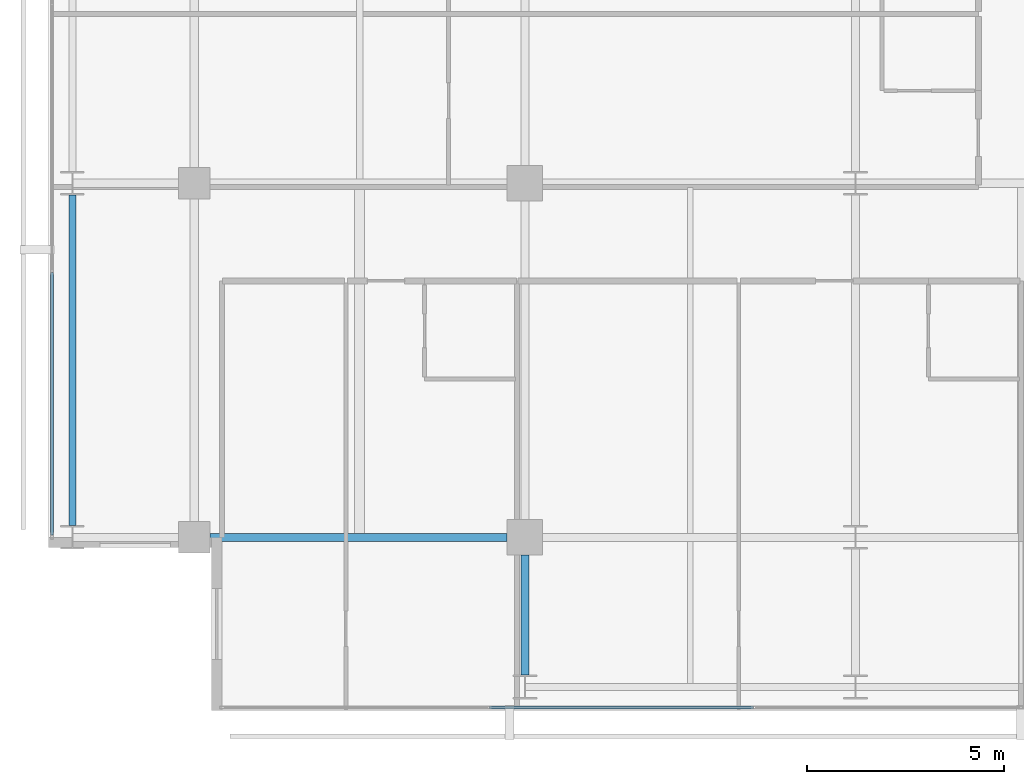
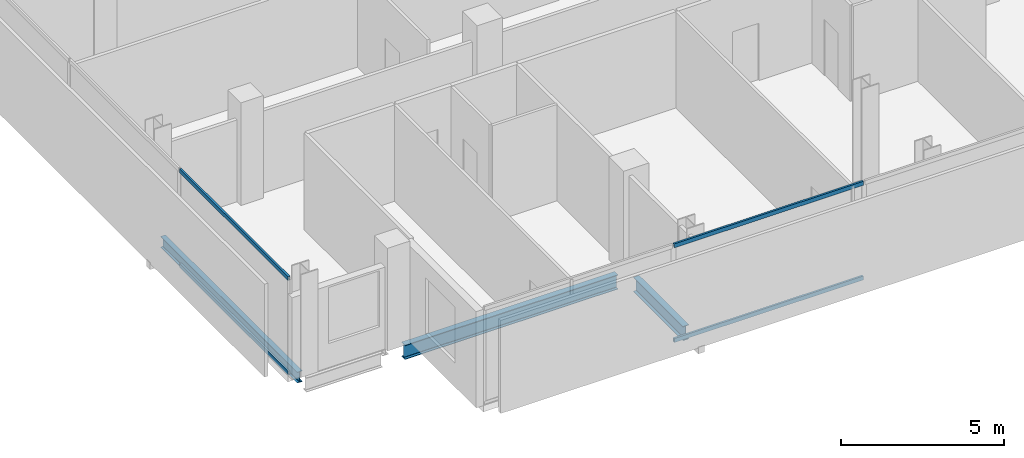
# One storey, part 3 of 34: 4 members, 3 beams, 2 elements without a shape of their own.
"""IFC4 building model written with IfcOpenShell, lengths in metres."""

from ifc_helpers import new_model, si_unit, direction, frame, origin, origin_2d, place, context, subcontext, project, spatial, hollow_rectangle, i_section, extrude, material, layer, layer_set, material_profile, profile_set, type_object, element, aggregate, save


model = new_model("IFC4")

# Units and contexts
model_context = context("Model", 3, precision=1e-05, world=origin(), true_north=direction((0.0, 1.0)))
body_context = subcontext(model_context, "Body", "Model", "MODEL_VIEW")
ifc_project = project(units=[si_unit("LENGTHUNIT", "METRE"), si_unit("AREAUNIT", "SQUARE_METRE"), si_unit("VOLUMEUNIT", "CUBIC_METRE"), si_unit("PLANEANGLEUNIT", "RADIAN"), si_unit("MASSUNIT", "GRAM", prefix="KILO")], contexts=[model_context])

# Site, building, storey
site_placement = place(None, origin())
site = spatial("IfcSite", under=ifc_project, at=site_placement, CompositionType="ELEMENT")
building_placement = place(site_placement, origin())
building = spatial("IfcBuilding", under=site, at=building_placement, Name="Maruvema Waterfront Hotel and Observation Tower", CompositionType="ELEMENT")
storey_placement = place(building_placement, frame((0.0, 0.0, 212.10009765625)))
storey = spatial("IfcBuildingStorey", under=building, at=storey_placement, Name="L52", CompositionType="ELEMENT", Elevation=212.10009765625)

# Curtain wall, members
ifc_material_1 = material(Name="Anodised bronze aluminium and solar-control low-E IGU", Category="aluminium")
ifc_layer = layer(ifc_material_1, 0.159912109375, Name="Zone 2 Amber Inner Thermal Curtain Wall System CW-03")
ifc_layer_set = layer_set([ifc_layer], Name="Anodised bronze aluminium and solar-control low-E IGU")
curtain_wall_type = type_object("IfcCurtainWallType", Name="Zone 2 Amber Inner Thermal Curtain Wall System CW-03", PredefinedType="USERDEFINED", material=ifc_layer_set)
curtain_wall_1_placement = place(storey_placement, origin())
curtain_wall_1 = element("IfcCurtainWall", 1, at=curtain_wall_1_placement, inside=storey, type_object=curtain_wall_type, Name="L52 Curtain Wall CW-L52-S", ObjectType="UNITISED CURTAIN WALL", PredefinedType="USERDEFINED")
ifc_material_2 = material(Name="Anodised architectural bronze aluminium", Category="aluminium")
ifc_material_profile_1 = material_profile(ifc_material_2, hollow_rectangle(XDim=0.070068359375, YDim=0.14990234375, WallThickness=0.00390625, at=origin_2d()), Name="ALU-T70x150")
ifc_profile_set_1 = profile_set([ifc_material_profile_1], Name="Anodised architectural bronze aluminium")
member_type = type_object("IfcMemberType", Name="Curtain Wall Horizontal Transom ALU-T70x150", PredefinedType="USERDEFINED", material=ifc_profile_set_1)
member_1_placement = place(storey_placement, frame((24.296630859375, 4.679931640625, 0.02978515625), z_axis=(1.0, 0.0, 0.0), x_axis=(0.0, 1.0, 0.0)))
member_1 = element("IfcMember", 2, at=member_1_placement, type_object=member_type, Name="CW-03 transom 2.1", ObjectType="TRANSOM", PredefinedType="USERDEFINED", context=body_context, shape_type="SweptSolid", body=[
    extrude(hollow_rectangle(XDim=0.070068359375, YDim=0.14990234375, WallThickness=0.00390625, at=origin_2d()), origin(), (0.0, 0.0, 1.0), 6.706787109375),
])
member_2_placement = place(storey_placement, frame((24.296630859375, 4.679931640625, 3.579833984375), z_axis=(1.0, 0.0, 0.0), x_axis=(0.0, 1.0, 0.0)))
member_2 = element("IfcMember", 3, at=member_2_placement, type_object=member_type, Name="CW-03 transom 2.2", ObjectType="TRANSOM", PredefinedType="USERDEFINED", context=body_context, shape_type="SweptSolid", body=[
    extrude(hollow_rectangle(XDim=0.070068359375, YDim=0.14990234375, WallThickness=0.00390625, at=origin_2d()), origin(), (0.0, 0.0, 1.0), 6.706787109375),
])
aggregate(curtain_wall_1, [member_1, member_2])

curtain_wall_2_placement = place(storey_placement, origin())
curtain_wall_2 = element("IfcCurtainWall", 4, at=curtain_wall_2_placement, inside=storey, type_object=curtain_wall_type, Name="L52 Curtain Wall CW-L52-W", ObjectType="UNITISED CURTAIN WALL", PredefinedType="USERDEFINED")
member_3_placement = place(storey_placement, frame((13.179931640625, 15.736572265625, 0.02978515625), z_axis=(0.0, -1.0, 0.0), x_axis=(1.0, 0.0, 0.0)))
member_3 = element("IfcMember", 5, at=member_3_placement, type_object=member_type, Name="CW-03 transom 6.1", ObjectType="TRANSOM", PredefinedType="USERDEFINED", context=body_context, shape_type="SweptSolid", body=[
    extrude(hollow_rectangle(XDim=0.070068359375, YDim=0.14990234375, WallThickness=0.00390625, at=origin_2d()), origin(), (0.0, 0.0, 1.0), 6.676513671875),
])
member_4_placement = place(storey_placement, frame((13.179931640625, 15.736572265625, 3.579833984375), z_axis=(0.0, -1.0, 0.0), x_axis=(1.0, 0.0, 0.0)))
member_4 = element("IfcMember", 6, at=member_4_placement, type_object=member_type, Name="CW-03 transom 6.2", ObjectType="TRANSOM", PredefinedType="USERDEFINED", context=body_context, shape_type="SweptSolid", body=[
    extrude(hollow_rectangle(XDim=0.070068359375, YDim=0.14990234375, WallThickness=0.00390625, at=origin_2d()), origin(), (0.0, 0.0, 1.0), 6.676513671875),
])
aggregate(curtain_wall_2, [member_3, member_4])

# Beams
ifc_material_3 = material(Name="Steel ASTM A572 Grade 50", Category="steel")
ifc_material_profile_2 = material_profile(ifc_material_3, i_section(OverallWidth=0.178955078125, OverallDepth=0.409912109375, WebThickness=0.0087890625, FlangeThickness=0.014404296875, FilletRadius=0.014892578125, at=origin_2d()), Name="W410x67.0")
ifc_profile_set_2 = profile_set([ifc_material_profile_2], Name="Steel ASTM A572 Grade 50")
beam_type_1 = type_object("IfcBeamType", Name="Perimeter Spandrel Beam W410x67.0", PredefinedType="SPANDREL", material=ifc_profile_set_2)
beam_1_placement = place(storey_placement, frame((13.699951171875, 9.300048828125, -0.445068359375), z_axis=(0.0, 1.0, 0.0), x_axis=(-1.0, 0.0, 0.0)))
element("IfcBeam", 7, at=beam_1_placement, inside=storey, type_object=beam_type_1, Name="L52 Floor Girder NS-01", PredefinedType="SPANDREL", context=body_context, shape_type="SweptSolid", body=[
    extrude(i_section(OverallWidth=0.178955078125, OverallDepth=0.409912109375, WebThickness=0.0087890625, FlangeThickness=0.014404296875, FilletRadius=0.014892578125, at=origin_2d()), origin(), (0.0, 0.0, 1.0), 8.39990234375),
])
ifc_material_4 = material(Name="Steel ASTM A572 Grade 50", Category="steel")
ifc_material_profile_3 = material_profile(ifc_material_4, i_section(OverallWidth=0.2109375, OverallDepth=0.5390625, WebThickness=0.01171875, FlangeThickness=0.018798828125, FilletRadius=0.014892578125, at=origin_2d()), Name="W530x109.0")
ifc_profile_set_3 = profile_set([ifc_material_profile_3], Name="Steel ASTM A572 Grade 50")
beam_type_2 = type_object("IfcBeamType", Name="Primary Floor Girder W530x109.0", PredefinedType="BEAM", material=ifc_profile_set_3)
beam_2_placement = place(storey_placement, frame((17.199951171875, 9.0, -0.509521484375), z_axis=(1.0, 0.0, 0.0), x_axis=(0.0, 1.0, 0.0)))
element("IfcBeam", 8, at=beam_2_placement, inside=storey, type_object=beam_type_2, Name="L52 Floor Girder EW-05", PredefinedType="BEAM", context=body_context, shape_type="SweptSolid", body=[
    extrude(i_section(OverallWidth=0.2109375, OverallDepth=0.5390625, WebThickness=0.01171875, FlangeThickness=0.018798828125, FilletRadius=0.014892578125, at=origin_2d()), origin(), (0.0, 0.0, 1.0), 7.550048828125),
])
beam_3_placement = place(storey_placement, frame((25.199951171875, 5.5, -0.509521484375), z_axis=(0.0, 1.0, 0.0), x_axis=(-1.0, 0.0, 0.0)))
element("IfcBeam", 9, at=beam_3_placement, inside=storey, type_object=beam_type_2, Name="L52 Floor Girder NS-09", PredefinedType="BEAM", context=body_context, shape_type="SweptSolid", body=[
    extrude(i_section(OverallWidth=0.2109375, OverallDepth=0.5390625, WebThickness=0.01171875, FlangeThickness=0.018798828125, FilletRadius=0.014892578125, at=origin_2d()), origin(), (0.0, 0.0, 1.0), 3.050048828125),
])

save(model, "model.ifc")
